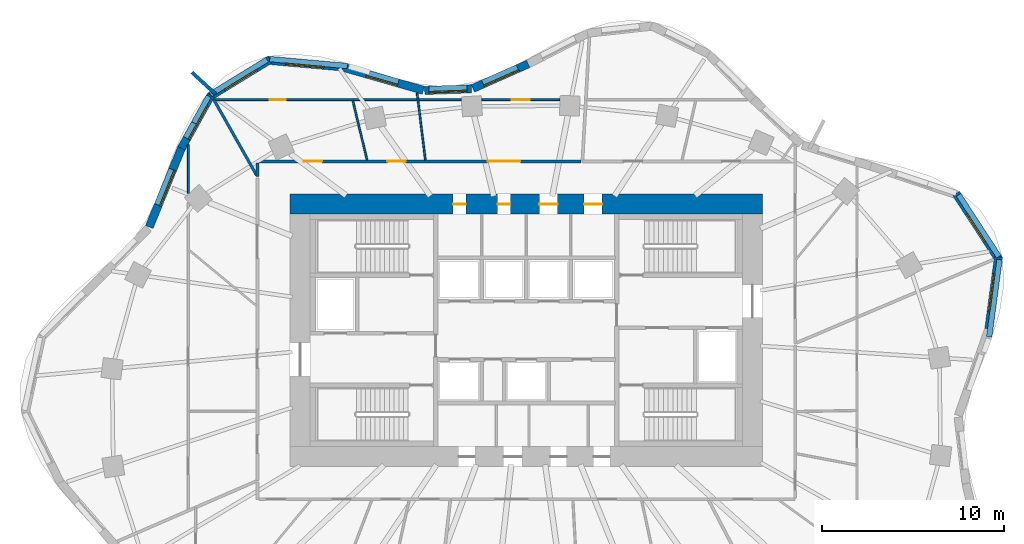
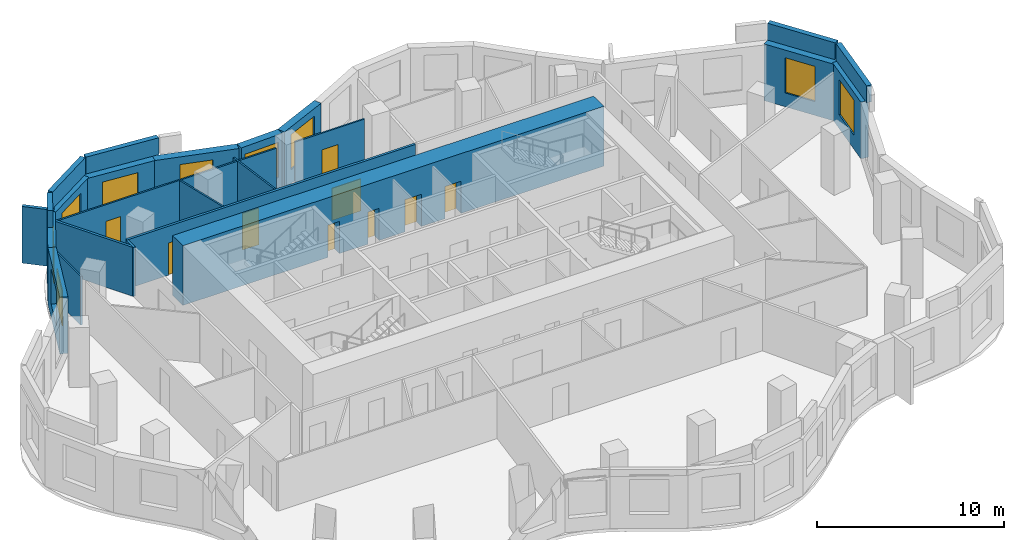
# One storey, part 7 of 9: 24 walls, 9 doors, 9 windows, 18 openings.
"""IFC4 building model written with IfcOpenShell, lengths in metres."""

from ifc_helpers import new_model, si_unit, direction, frame, frame_2d, origin, place, context, subcontext, project, spatial, rectangle, extrude, material, layer, layer_set, type_object, element, fill, save


model = new_model("IFC4")

# Units and contexts
model_context = context("Model", 3, precision=1e-05, world=origin(), true_north=direction((0.0, 1.0)))
body_context = subcontext(model_context, "Body", "Model", "MODEL_VIEW")
ifc_project = project(units=[si_unit("LENGTHUNIT", "METRE"), si_unit("AREAUNIT", "SQUARE_METRE"), si_unit("VOLUMEUNIT", "CUBIC_METRE"), si_unit("PLANEANGLEUNIT", "RADIAN"), si_unit("MASSUNIT", "GRAM", prefix="KILO")], contexts=[model_context])

# Site, building, storey
site_placement = place(None, origin())
site = spatial("IfcSite", under=ifc_project, at=site_placement, CompositionType="ELEMENT")
building_placement = place(site_placement, origin())
building = spatial("IfcBuilding", under=site, at=building_placement, Name="Rubra Terraces Tower", CompositionType="ELEMENT")
storey_placement = place(building_placement, frame((0.0, 0.0, 142.199951171875)))
storey = spatial("IfcBuildingStorey", under=building, at=storey_placement, Name="L34", CompositionType="ELEMENT", Elevation=142.199951171875)

# Wall, opening, window
ifc_material_1 = material(Name="Brick masonry red-brown", Category="masonry")
ifc_layer_1 = layer(ifc_material_1, 0.449951171875)
ifc_layer_set_1 = layer_set([ifc_layer_1], Name="Brick masonry red-brown")
wall_type_1 = type_object("IfcWallType", Name="Brick facade wall 450", PredefinedType="SOLIDWALL", material=ifc_layer_set_1)
wall_1_placement = place(storey_placement, frame((25.457275390625, 4.57470703125, 0.0), z_axis=(0.0, 0.0, 1.0), x_axis=(0.132475046402, 0.991186340746, 0.0)))
wall_1 = element("IfcWall", 1, at=wall_1_placement, inside=storey, type_object=wall_type_1, Name="Facade wall L34 bay 2", PredefinedType="SOLIDWALL", context=body_context, shape_type="SweptSolid", body=[
    extrude(rectangle(XDim=4.006591796875, YDim=0.449951171875, at=frame_2d((2.00341796875, 0.0))), origin(), (0.0, 0.0, 1.0), 3.699951171875),
])
opening_1_placement = place(wall_1_placement, frame((0.953125, 0.0, 0.89990234375)))
opening_1 = element("IfcOpeningElement", 2, at=opening_1_placement, cuts=wall_1, Name="Opening W1B", PredefinedType="OPENING", context=body_context, shape_type="SweptSolid", body=[
    extrude(rectangle(XDim=2.10009765625, YDim=2.300048828125, at=frame_2d((1.050048828125, 1.14990234375))), frame((0.0, 0.23486328125, 0.0), z_axis=(0.0, -1.0, 0.0), x_axis=(1.0, 0.0, 0.0)), (0.0, 0.0, 1.0), 0.469970703125),
])
ifc_material_2 = material(Name="Clear glass in aluminium frame", Category="aluminium")
window_type_1 = type_object("IfcWindowType", Name="Fixed deep-set window tall storey 2100 x 2300", PartitioningType="SINGLE_PANEL", PredefinedType="WINDOW", material=ifc_material_2)
window_1_placement = place(opening_1_placement, origin())
window_1 = element("IfcWindow", 3, at=window_1_placement, inside=storey, type_object=window_type_1, Name="Window L34 bay 2", OverallHeight=2.300048828125, OverallWidth=2.10009765625, PartitioningType="SINGLE_PANEL", PredefinedType="WINDOW", context=body_context, shape_type="SweptSolid", body=[
    extrude(rectangle(XDim=2.10009765625, YDim=2.300048828125, at=frame_2d((1.050048828125, 1.14990234375))), frame((0.0, 0.135009765625, 0.0), z_axis=(0.0, -1.0, 0.0), x_axis=(1.0, 0.0, 0.0)), (0.0, 0.0, 1.0), 0.06005859375),
])
fill(opening_1, window_1)

wall_2_placement = place(storey_placement, frame((26.0224609375, 8.393310546875, 0.0), z_axis=(0.0, 0.0, 1.0), x_axis=(-0.545637310328, 0.838021435035, 0.0)))
wall_2 = element("IfcWall", 4, at=wall_2_placement, inside=storey, type_object=wall_type_1, Name="Facade wall L34 bay 3", PredefinedType="SOLIDWALL", context=body_context, shape_type="SweptSolid", body=[
    extrude(rectangle(XDim=4.336181640625, YDim=0.449951171875, at=frame_2d((2.16796875, 0.0))), origin(), (0.0, 0.0, 1.0), 3.699951171875),
])
opening_2_placement = place(wall_2_placement, frame((1.268310546875, 0.0, 0.89990234375)))
opening_2 = element("IfcOpeningElement", 5, at=opening_2_placement, cuts=wall_2, Name="Opening W6B", PredefinedType="OPENING", context=body_context, shape_type="SweptSolid", body=[
    extrude(rectangle(XDim=1.800048828125, YDim=2.300048828125, at=frame_2d((0.89990234375, 1.14990234375))), frame((0.0, 0.23486328125, 0.0), z_axis=(0.0, -1.0, 0.0), x_axis=(1.0, 0.0, 0.0)), (0.0, 0.0, 1.0), 0.469970703125),
])
window_type_2 = type_object("IfcWindowType", Name="Fixed deep-set window at wind fin tall storey 1800 x 2300", PartitioningType="SINGLE_PANEL", PredefinedType="WINDOW", material=ifc_material_2)
window_2_placement = place(opening_2_placement, origin())
window_2 = element("IfcWindow", 6, at=window_2_placement, inside=storey, type_object=window_type_2, Name="Window L34 bay 3", OverallHeight=2.300048828125, OverallWidth=1.800048828125, PartitioningType="SINGLE_PANEL", PredefinedType="WINDOW", context=body_context, shape_type="SweptSolid", body=[
    extrude(rectangle(XDim=1.800048828125, YDim=2.300048828125, at=frame_2d((0.89990234375, 1.14990234375))), frame((0.0, 0.135009765625, 0.0), z_axis=(0.0, -1.0, 0.0), x_axis=(1.0, 0.0, 0.0)), (0.0, 0.0, 1.0), 0.06005859375),
])
fill(opening_2, window_2)

wall_3_placement = place(storey_placement, frame((0.105224609375, 19.1669921875, 0.0), z_axis=(0.0, 0.0, 1.0), x_axis=(-0.91414046241, -0.405397601109, 0.0)))
wall_3 = element("IfcWall", 7, at=wall_3_placement, inside=storey, type_object=wall_type_1, Name="Facade wall L34 bay 11", PredefinedType="SOLIDWALL", context=body_context, shape_type="SweptSolid", body=[
    extrude(rectangle(XDim=3.333251953125, YDim=0.449951171875, at=frame_2d((1.66650390625, 0.0))), origin(), (0.0, 0.0, 1.0), 3.699951171875),
])
opening_3_placement = place(wall_3_placement, frame((0.61669921875, 0.0, 0.89990234375)))
opening_3 = element("IfcOpeningElement", 8, at=opening_3_placement, cuts=wall_3, Name="Opening W1B", PredefinedType="OPENING", context=body_context, shape_type="SweptSolid", body=[
    extrude(rectangle(XDim=2.10009765625, YDim=2.300048828125, at=frame_2d((1.050048828125, 1.14990234375))), frame((0.0, 0.23486328125, 0.0), z_axis=(0.0, -1.0, 0.0), x_axis=(1.0, 0.0, 0.0)), (0.0, 0.0, 1.0), 0.469970703125),
])
window_3_placement = place(opening_3_placement, origin())
window_3 = element("IfcWindow", 9, at=window_3_placement, inside=storey, type_object=window_type_1, Name="Window L34 bay 11", OverallHeight=2.300048828125, OverallWidth=2.10009765625, PartitioningType="SINGLE_PANEL", PredefinedType="WINDOW", context=body_context, shape_type="SweptSolid", body=[
    extrude(rectangle(XDim=2.10009765625, YDim=2.300048828125, at=frame_2d((1.050048828125, 1.14990234375))), frame((0.0, 0.135009765625, 0.0), z_axis=(0.0, -1.0, 0.0), x_axis=(1.0, 0.0, 0.0)), (0.0, 0.0, 1.0), 0.06005859375),
])
fill(opening_3, window_3)

wall_4_placement = place(storey_placement, frame((-3.022216796875, 17.797607421875, 0.0), z_axis=(0.0, 0.0, 1.0), x_axis=(-0.999339560591, -0.036337895349, 0.0)))
wall_4 = element("IfcWall", 10, at=wall_4_placement, inside=storey, type_object=wall_type_1, Name="Facade wall L34 bay 12", PredefinedType="SOLIDWALL", context=body_context, shape_type="SweptSolid", body=[
    extrude(rectangle(XDim=2.5732421875, YDim=0.449951171875, at=frame_2d((1.28662109375, 0.0))), origin(), (0.0, 0.0, 1.0), 3.699951171875),
])
opening_4_placement = place(wall_4_placement, frame((0.236572265625, 0.0, 0.89990234375)))
opening_4 = element("IfcOpeningElement", 11, at=opening_4_placement, cuts=wall_4, Name="Opening W1B", PredefinedType="OPENING", context=body_context, shape_type="SweptSolid", body=[
    extrude(rectangle(XDim=2.10009765625, YDim=2.300048828125, at=frame_2d((1.050048828125, 1.14990234375))), frame((0.0, 0.23486328125, 0.0), z_axis=(0.0, -1.0, 0.0), x_axis=(1.0, 0.0, 0.0)), (0.0, 0.0, 1.0), 0.469970703125),
])
window_4_placement = place(opening_4_placement, origin())
window_4 = element("IfcWindow", 12, at=window_4_placement, inside=storey, type_object=window_type_1, Name="Window L34 bay 12", OverallHeight=2.300048828125, OverallWidth=2.10009765625, PartitioningType="SINGLE_PANEL", PredefinedType="WINDOW", context=body_context, shape_type="SweptSolid", body=[
    extrude(rectangle(XDim=2.10009765625, YDim=2.300048828125, at=frame_2d((1.050048828125, 1.14990234375))), frame((0.0, 0.135009765625, 0.0), z_axis=(0.0, -1.0, 0.0), x_axis=(1.0, 0.0, 0.0)), (0.0, 0.0, 1.0), 0.06005859375),
])
fill(opening_4, window_4)

wall_5_placement = place(storey_placement, frame((-5.6640625, 17.712646484375, 0.0), z_axis=(0.0, 0.0, 1.0), x_axis=(-0.961108031684, 0.276172684083, 0.0)))
wall_5 = element("IfcWall", 13, at=wall_5_placement, inside=storey, type_object=wall_type_1, Name="Facade wall L34 bay 13", PredefinedType="SOLIDWALL", context=body_context, shape_type="SweptSolid", body=[
    extrude(rectangle(XDim=4.686279296875, YDim=0.449951171875, at=frame_2d((2.34326171875, 0.0))), origin(), (0.0, 0.0, 1.0), 3.699951171875),
])
opening_5_placement = place(wall_5_placement, frame((1.443115234375, 0.0, 0.89990234375)))
opening_5 = element("IfcOpeningElement", 14, at=opening_5_placement, cuts=wall_5, Name="Opening W6B", PredefinedType="OPENING", context=body_context, shape_type="SweptSolid", body=[
    extrude(rectangle(XDim=1.800048828125, YDim=2.300048828125, at=frame_2d((0.89990234375, 1.14990234375))), frame((0.0, 0.23486328125, 0.0), z_axis=(0.0, -1.0, 0.0), x_axis=(1.0, 0.0, 0.0)), (0.0, 0.0, 1.0), 0.469970703125),
])
window_5_placement = place(opening_5_placement, origin())
window_5 = element("IfcWindow", 15, at=window_5_placement, inside=storey, type_object=window_type_2, Name="Window L34 bay 13", OverallHeight=2.300048828125, OverallWidth=1.800048828125, PartitioningType="SINGLE_PANEL", PredefinedType="WINDOW", context=body_context, shape_type="SweptSolid", body=[
    extrude(rectangle(XDim=1.800048828125, YDim=2.300048828125, at=frame_2d((0.89990234375, 1.14990234375))), frame((0.0, 0.135009765625, 0.0), z_axis=(0.0, -1.0, 0.0), x_axis=(1.0, 0.0, 0.0)), (0.0, 0.0, 1.0), 0.06005859375),
])
fill(opening_5, window_5)

wall_6_placement = place(storey_placement, frame((-10.125732421875, 18.9990234375, 0.0), z_axis=(0.0, 0.0, 1.0), x_axis=(-0.996031087117, 0.089006030672, 0.0)))
wall_6 = element("IfcWall", 16, at=wall_6_placement, inside=storey, type_object=wall_type_1, Name="Facade wall L34 bay 14", PredefinedType="SOLIDWALL", context=body_context, shape_type="SweptSolid", body=[
    extrude(rectangle(XDim=4.14453125, YDim=0.449951171875, at=frame_2d((2.072265625, 0.0))), origin(), (0.0, 0.0, 1.0), 3.699951171875),
])
opening_6_placement = place(wall_6_placement, frame((1.022216796875, 0.0, 0.89990234375)))
opening_6 = element("IfcOpeningElement", 17, at=opening_6_placement, cuts=wall_6, Name="Opening W1B", PredefinedType="OPENING", context=body_context, shape_type="SweptSolid", body=[
    extrude(rectangle(XDim=2.10009765625, YDim=2.300048828125, at=frame_2d((1.050048828125, 1.14990234375))), frame((0.0, 0.23486328125, 0.0), z_axis=(0.0, -1.0, 0.0), x_axis=(1.0, 0.0, 0.0)), (0.0, 0.0, 1.0), 0.469970703125),
])
window_6_placement = place(opening_6_placement, origin())
window_6 = element("IfcWindow", 18, at=window_6_placement, inside=storey, type_object=window_type_1, Name="Window L34 bay 14", OverallHeight=2.300048828125, OverallWidth=2.10009765625, PartitioningType="SINGLE_PANEL", PredefinedType="WINDOW", context=body_context, shape_type="SweptSolid", body=[
    extrude(rectangle(XDim=2.10009765625, YDim=2.300048828125, at=frame_2d((1.050048828125, 1.14990234375))), frame((0.0, 0.135009765625, 0.0), z_axis=(0.0, -1.0, 0.0), x_axis=(1.0, 0.0, 0.0)), (0.0, 0.0, 1.0), 0.06005859375),
])
fill(opening_6, window_6)

wall_7_placement = place(storey_placement, frame((-14.116455078125, 19.400146484375, 0.0), z_axis=(0.0, 0.0, 1.0), x_axis=(-0.852622865325, -0.522526793117, 0.0)))
wall_7 = element("IfcWall", 19, at=wall_7_placement, inside=storey, type_object=wall_type_1, Name="Facade wall L34 bay 15", PredefinedType="SOLIDWALL", context=body_context, shape_type="SweptSolid", body=[
    extrude(rectangle(XDim=3.896240234375, YDim=0.449951171875, at=frame_2d((1.9482421875, 0.0))), origin(), (0.0, 0.0, 1.0), 3.699951171875),
])
opening_7_placement = place(wall_7_placement, frame((0.898193359375, 0.0, 0.89990234375)))
opening_7 = element("IfcOpeningElement", 20, at=opening_7_placement, cuts=wall_7, Name="Opening W1B", PredefinedType="OPENING", context=body_context, shape_type="SweptSolid", body=[
    extrude(rectangle(XDim=2.10009765625, YDim=2.300048828125, at=frame_2d((1.050048828125, 1.14990234375))), frame((0.0, 0.23486328125, 0.0), z_axis=(0.0, -1.0, 0.0), x_axis=(1.0, 0.0, 0.0)), (0.0, 0.0, 1.0), 0.469970703125),
])
window_7_placement = place(opening_7_placement, origin())
window_7 = element("IfcWindow", 21, at=window_7_placement, inside=storey, type_object=window_type_1, Name="Window L34 bay 15", OverallHeight=2.300048828125, OverallWidth=2.10009765625, PartitioningType="SINGLE_PANEL", PredefinedType="WINDOW", context=body_context, shape_type="SweptSolid", body=[
    extrude(rectangle(XDim=2.10009765625, YDim=2.300048828125, at=frame_2d((1.050048828125, 1.14990234375))), frame((0.0, 0.135009765625, 0.0), z_axis=(0.0, -1.0, 0.0), x_axis=(1.0, 0.0, 0.0)), (0.0, 0.0, 1.0), 0.06005859375),
])
fill(opening_7, window_7)

wall_8_placement = place(storey_placement, frame((-17.359375, 17.44677734375, 0.0), z_axis=(0.0, 0.0, 1.0), x_axis=(-0.485618126214, -0.874171056197, 0.0)))
wall_8 = element("IfcWall", 22, at=wall_8_placement, inside=storey, type_object=wall_type_1, Name="Facade wall L34 bay 16", PredefinedType="SOLIDWALL", context=body_context, shape_type="SweptSolid", body=[
    extrude(rectangle(XDim=3.3427734375, YDim=0.449951171875, at=frame_2d((1.67138671875, 0.0))), origin(), (0.0, 0.0, 1.0), 3.699951171875),
])
opening_8_placement = place(wall_8_placement, frame((0.621337890625, 0.0, 0.89990234375)))
opening_8 = element("IfcOpeningElement", 23, at=opening_8_placement, cuts=wall_8, Name="Opening W1B", PredefinedType="OPENING", context=body_context, shape_type="SweptSolid", body=[
    extrude(rectangle(XDim=2.10009765625, YDim=2.300048828125, at=frame_2d((1.050048828125, 1.14990234375))), frame((0.0, 0.23486328125, 0.0), z_axis=(0.0, -1.0, 0.0), x_axis=(1.0, 0.0, 0.0)), (0.0, 0.0, 1.0), 0.469970703125),
])
window_8_placement = place(opening_8_placement, origin())
window_8 = element("IfcWindow", 24, at=window_8_placement, inside=storey, type_object=window_type_1, Name="Window L34 bay 16", OverallHeight=2.300048828125, OverallWidth=2.10009765625, PartitioningType="SINGLE_PANEL", PredefinedType="WINDOW", context=body_context, shape_type="SweptSolid", body=[
    extrude(rectangle(XDim=2.10009765625, YDim=2.300048828125, at=frame_2d((1.050048828125, 1.14990234375))), frame((0.0, 0.135009765625, 0.0), z_axis=(0.0, -1.0, 0.0), x_axis=(1.0, 0.0, 0.0)), (0.0, 0.0, 1.0), 0.06005859375),
])
fill(opening_8, window_8)

wall_9_placement = place(storey_placement, frame((-18.97119140625, 14.548828125, 0.0), z_axis=(0.0, 0.0, 1.0), x_axis=(-0.378434936431, -0.925627894398, 0.0)))
wall_9 = element("IfcWall", 25, at=wall_9_placement, inside=storey, type_object=wall_type_1, Name="Facade wall L34 bay 17", PredefinedType="SOLIDWALL", context=body_context, shape_type="SweptSolid", body=[
    extrude(rectangle(XDim=4.70751953125, YDim=0.449951171875, at=frame_2d((2.353759765625, 0.0))), origin(), (0.0, 0.0, 1.0), 3.699951171875),
])
opening_9_placement = place(wall_9_placement, frame((1.3037109375, 0.0, 0.89990234375)))
opening_9 = element("IfcOpeningElement", 26, at=opening_9_placement, cuts=wall_9, Name="Opening W1B", PredefinedType="OPENING", context=body_context, shape_type="SweptSolid", body=[
    extrude(rectangle(XDim=2.10009765625, YDim=2.300048828125, at=frame_2d((1.050048828125, 1.14990234375))), frame((0.0, 0.23486328125, 0.0), z_axis=(0.0, -1.0, 0.0), x_axis=(1.0, 0.0, 0.0)), (0.0, 0.0, 1.0), 0.469970703125),
])
window_9_placement = place(opening_9_placement, origin())
window_9 = element("IfcWindow", 27, at=window_9_placement, inside=storey, type_object=window_type_1, Name="Window L34 bay 17", OverallHeight=2.300048828125, OverallWidth=2.10009765625, PartitioningType="SINGLE_PANEL", PredefinedType="WINDOW", context=body_context, shape_type="SweptSolid", body=[
    extrude(rectangle(XDim=2.10009765625, YDim=2.300048828125, at=frame_2d((1.050048828125, 1.14990234375))), frame((0.0, 0.135009765625, 0.0), z_axis=(0.0, -1.0, 0.0), x_axis=(1.0, 0.0, 0.0)), (0.0, 0.0, 1.0), 0.06005859375),
])
fill(opening_9, window_9)

# Walls
ifc_layer_2 = layer(ifc_material_1, 0.300048828125)
ifc_layer_set_2 = layer_set([ifc_layer_2], Name="Brick masonry red-brown")
wall_type_2 = type_object("IfcWallType", Name="Brick parapet 300", PredefinedType="PARAPET", material=ifc_layer_set_2)
wall_10_placement = place(storey_placement, frame((25.474365234375, 4.13720703125, 3.900146484375), z_axis=(0.0, 0.0, 1.0), x_axis=(0.132506125812, 0.991182186393, 0.0)))
element("IfcWall", 28, at=wall_10_placement, inside=storey, type_object=wall_type_2, Name="Parapet L34 bay 2", PredefinedType="PARAPET", context=body_context, shape_type="SweptSolid", body=[
    extrude(rectangle(XDim=4.296630859375, YDim=0.300048828125, at=frame_2d((2.1484375, 0.0))), origin(), (0.0, 0.0, 1.0), 1.099853515625),
])
wall_11_placement = place(storey_placement, frame((26.00830078125, 8.552490234375, 3.900146484375), z_axis=(0.0, 0.0, 1.0), x_axis=(-0.545634876254, 0.83802301986, 0.0)))
element("IfcWall", 29, at=wall_11_placement, inside=storey, type_object=wall_type_2, Name="Parapet L34 bay 3", PredefinedType="PARAPET", context=body_context, shape_type="SweptSolid", body=[
    extrude(rectangle(XDim=4.060546875, YDim=0.300048828125, at=frame_2d((2.0302734375, 0.0))), origin(), (0.0, 0.0, 1.0), 1.099853515625),
])
wall_12_placement = place(storey_placement, frame((-9.851806640625, 19.0498046875, 3.900146484375), z_axis=(0.0, 0.0, 1.0), x_axis=(-0.996029858658, 0.089019776805, 0.0)))
element("IfcWall", 30, at=wall_12_placement, inside=storey, type_object=wall_type_2, Name="Parapet L34 bay 14", PredefinedType="PARAPET", context=body_context, shape_type="SweptSolid", body=[
    extrude(rectangle(XDim=4.283935546875, YDim=0.300048828125, at=frame_2d((2.14208984375, 0.0))), origin(), (0.0, 0.0, 1.0), 1.099853515625),
])
wall_13_placement = place(storey_placement, frame((-14.265869140625, 19.396484375, 3.900146484375), z_axis=(0.0, 0.0, 1.0), x_axis=(-0.852626191256, -0.522521366055, 0.0)))
element("IfcWall", 31, at=wall_13_placement, inside=storey, type_object=wall_type_2, Name="Parapet L34 bay 15", PredefinedType="PARAPET", context=body_context, shape_type="SweptSolid", body=[
    extrude(rectangle(XDim=3.657958984375, YDim=0.300048828125, at=frame_2d((1.8291015625, 0.0))), origin(), (0.0, 0.0, 1.0), 1.099853515625),
])
wall_14_placement = place(storey_placement, frame((-17.477783203125, 17.387939453125, 3.900146484375), z_axis=(0.0, 0.0, 1.0), x_axis=(-0.485655243725, -0.874150435705, 0.0)))
element("IfcWall", 32, at=wall_14_placement, inside=storey, type_object=wall_type_2, Name="Parapet L34 bay 16", PredefinedType="PARAPET", context=body_context, shape_type="SweptSolid", body=[
    extrude(rectangle(XDim=1.68359375, YDim=0.300048828125, at=frame_2d((0.841796875, 0.0))), origin(), (0.0, 0.0, 1.0), 1.099853515625),
])
ifc_layer_3 = layer(ifc_material_1, 0.199951171875)
ifc_layer_set_3 = layer_set([ifc_layer_3], Name="Brick masonry red-brown")
wall_type_3 = type_object("IfcWallType", Name="Brick wind fin 200", PredefinedType="SOLIDWALL", material=ifc_layer_set_3)
wall_15_placement = place(storey_placement, frame((-17.118896484375, 17.52294921875, 0.0), z_axis=(0.0, 0.0, 1.0), x_axis=(-0.737866019047, 0.674947211221, 0.0)))
element("IfcWall", 33, at=wall_15_placement, inside=storey, type_object=wall_type_3, Name="Wind fin L34 8", PredefinedType="SOLIDWALL", context=body_context, shape_type="SweptSolid", body=[
    extrude(rectangle(XDim=1.75, YDim=0.199951171875, at=frame_2d((0.875, 0.0))), origin(), (0.0, 0.0, 1.0), 3.699951171875),
])

# Wall, openings, doors
ifc_material_3 = material(Name="Concrete C60", Category="concrete")
ifc_layer_4 = layer(ifc_material_3, 1.10009765625)
ifc_layer_set_4 = layer_set([ifc_layer_4], Name="Concrete C60")
wall_type_4 = type_object("IfcWallType", Name="CORE WALL 1100 C60", PredefinedType="SHEAR", material=ifc_layer_set_4)
wall_16_placement = place(storey_placement, frame((-13.0, 11.449951171875, 0.0), z_axis=(0.0, 0.0, 1.0), x_axis=(1.0, 0.0, 0.0)))
wall_16 = element("IfcWall", 34, at=wall_16_placement, inside=storey, type_object=wall_type_4, Name="CORE WALL N L34", PredefinedType="SHEAR", context=body_context, shape_type="SweptSolid", body=[
    extrude(rectangle(XDim=26.0, YDim=1.10009765625, at=frame_2d((13.0, 0.0))), origin(), (0.0, 0.0, 1.0), 3.900146484375),
])
opening_10_placement = place(wall_16_placement, frame((8.97509765625, 0.0, 0.0)))
opening_10 = element("IfcOpeningElement", 35, at=opening_10_placement, cuts=wall_16, Name="Opening L34.C25", PredefinedType="OPENING", context=body_context, shape_type="SweptSolid", body=[
    extrude(rectangle(XDim=0.699951171875, YDim=2.10009765625, at=frame_2d((0.35009765625, 1.050048828125))), frame((0.0, 0.56005859375, 0.0), z_axis=(0.0, -1.0, 0.0), x_axis=(1.0, 0.0, 0.0)), (0.0, 0.0, 1.0), 1.1201171875),
])
opening_11_placement = place(wall_16_placement, frame((11.425048828125, 0.0, 0.0)))
opening_11 = element("IfcOpeningElement", 36, at=opening_11_placement, cuts=wall_16, Name="Opening L34.C26", PredefinedType="OPENING", context=body_context, shape_type="SweptSolid", body=[
    extrude(rectangle(XDim=0.699951171875, YDim=2.10009765625, at=frame_2d((0.35009765625, 1.050048828125))), frame((0.0, 0.56005859375, 0.0), z_axis=(0.0, -1.0, 0.0), x_axis=(1.0, 0.0, 0.0)), (0.0, 0.0, 1.0), 1.1201171875),
])
opening_12_placement = place(wall_16_placement, frame((13.72509765625, 0.0, 0.0)))
opening_12 = element("IfcOpeningElement", 37, at=opening_12_placement, cuts=wall_16, Name="Opening L34.C27", PredefinedType="OPENING", context=body_context, shape_type="SweptSolid", body=[
    extrude(rectangle(XDim=1.0, YDim=2.10009765625, at=frame_2d((0.5, 1.050048828125))), frame((0.0, 0.56005859375, 0.0), z_axis=(0.0, -1.0, 0.0), x_axis=(1.0, 0.0, 0.0)), (0.0, 0.0, 1.0), 1.1201171875),
])
opening_13_placement = place(wall_16_placement, frame((16.175048828125, 0.0, 0.0)))
opening_13 = element("IfcOpeningElement", 38, at=opening_13_placement, cuts=wall_16, Name="Opening L34.C28", PredefinedType="OPENING", context=body_context, shape_type="SweptSolid", body=[
    extrude(rectangle(XDim=1.0, YDim=2.10009765625, at=frame_2d((0.5, 1.050048828125))), frame((0.0, 0.56005859375, 0.0), z_axis=(0.0, -1.0, 0.0), x_axis=(1.0, 0.0, 0.0)), (0.0, 0.0, 1.0), 1.1201171875),
])
ifc_material_4 = material(Name="Painted steel", Category="steel")
door_type_1 = type_object("IfcDoorType", Name="Fire door 1000x2100 single", OperationType="NOTDEFINED", PredefinedType="DOOR", material=ifc_material_4)
door_1_placement = place(opening_12_placement, origin())
door_1 = element("IfcDoor", 39, at=door_1_placement, inside=storey, type_object=door_type_1, Name="Tea point door", OperationType="SINGLE_SWING_LEFT", OverallHeight=2.10009765625, OverallWidth=1.0, PredefinedType="DOOR", context=body_context, shape_type="SweptSolid", body=[
    extrude(rectangle(XDim=1.0, YDim=2.10009765625, at=frame_2d((0.5, 1.050048828125))), frame((0.0, 0.02490234375, 0.0), z_axis=(0.0, -1.0, 0.0), x_axis=(1.0, 0.0, 0.0)), (0.0, 0.0, 1.0), 0.050048828125),
])
fill(opening_12, door_1)
door_2_placement = place(opening_13_placement, origin())
door_2 = element("IfcDoor", 40, at=door_2_placement, inside=storey, type_object=door_type_1, Name="General store door", OperationType="SINGLE_SWING_RIGHT", OverallHeight=2.10009765625, OverallWidth=1.0, PredefinedType="DOOR", context=body_context, shape_type="SweptSolid", body=[
    extrude(rectangle(XDim=1.0, YDim=2.10009765625, at=frame_2d((0.5, 1.050048828125))), frame((0.0, 0.02490234375, 0.0), z_axis=(0.0, -1.0, 0.0), x_axis=(1.0, 0.0, 0.0)), (0.0, 0.0, 1.0), 0.050048828125),
])
fill(opening_13, door_2)
door_type_2 = type_object("IfcDoorType", Name="Riser access door 700x2100 single", OperationType="NOTDEFINED", PredefinedType="DOOR", material=ifc_material_4)
door_3_placement = place(opening_10_placement, origin())
door_3 = element("IfcDoor", 41, at=door_3_placement, inside=storey, type_object=door_type_2, Name="Electrical riser room door", OperationType="SINGLE_SWING_LEFT", OverallHeight=2.10009765625, OverallWidth=0.699951171875, PredefinedType="DOOR", context=body_context, shape_type="SweptSolid", body=[
    extrude(rectangle(XDim=0.699951171875, YDim=2.10009765625, at=frame_2d((0.35009765625, 1.050048828125))), frame((0.0, 0.02490234375, 0.0), z_axis=(0.0, -1.0, 0.0), x_axis=(1.0, 0.0, 0.0)), (0.0, 0.0, 1.0), 0.050048828125),
])
fill(opening_10, door_3)
door_4_placement = place(opening_11_placement, origin())
door_4 = element("IfcDoor", 42, at=door_4_placement, inside=storey, type_object=door_type_2, Name="Telecoms room door", OperationType="SINGLE_SWING_RIGHT", OverallHeight=2.10009765625, OverallWidth=0.699951171875, PredefinedType="DOOR", context=body_context, shape_type="SweptSolid", body=[
    extrude(rectangle(XDim=0.699951171875, YDim=2.10009765625, at=frame_2d((0.35009765625, 1.050048828125))), frame((0.0, 0.02490234375, 0.0), z_axis=(0.0, -1.0, 0.0), x_axis=(1.0, 0.0, 0.0)), (0.0, 0.0, 1.0), 0.050048828125),
])
fill(opening_11, door_4)

ifc_material_5 = material(Name="Plasterboard on steel stud, mineral wool infill", Category="steel")
ifc_layer_5 = layer(ifc_material_5, 0.14990234375)
ifc_layer_set_5 = layer_set([ifc_layer_5], Name="Plasterboard on steel stud, mineral wool infill")
wall_type_5 = type_object("IfcWallType", Name="CORRIDOR PARTITION 150", PredefinedType="PARTITIONING", material=ifc_layer_set_5)
wall_17_placement = place(storey_placement, frame((3.01171875, 13.800048828125, 0.0), z_axis=(0.0, 0.0, 1.0), x_axis=(-1.0, 0.0, 0.0)))
wall_17 = element("IfcWall", 43, at=wall_17_placement, inside=storey, type_object=wall_type_5, Name="PARTITION", PredefinedType="PARTITIONING", context=body_context, shape_type="SweptSolid", body=[
    extrude(rectangle(XDim=17.811767578125, YDim=0.14990234375, at=frame_2d((8.90576171875, 0.0))), origin(), (0.0, 0.0, 1.0), 3.197998046875),
])
opening_14_placement = place(wall_17_placement, frame((3.342041015625, 0.0, 0.0)))
opening_14 = element("IfcOpeningElement", 44, at=opening_14_placement, cuts=wall_17, Name="Opening 34-104", PredefinedType="OPENING", context=body_context, shape_type="SweptSolid", body=[
    extrude(rectangle(XDim=1.800048828125, YDim=2.10009765625, at=frame_2d((0.89990234375, 1.050048828125))), frame((0.0, 0.0849609375, 0.0), z_axis=(0.0, -1.0, 0.0), x_axis=(1.0, 0.0, 0.0)), (0.0, 0.0, 1.0), 0.169921875),
])
opening_15_placement = place(wall_17_placement, frame((9.658935546875, 0.0, 0.0)))
opening_15 = element("IfcOpeningElement", 45, at=opening_15_placement, cuts=wall_17, Name="Opening 34-105", PredefinedType="OPENING", context=body_context, shape_type="SweptSolid", body=[
    extrude(rectangle(XDim=1.0, YDim=2.39990234375, at=frame_2d((0.5, 1.199951171875))), frame((0.0, 0.0849609375, 0.0), z_axis=(0.0, -1.0, 0.0), x_axis=(1.0, 0.0, 0.0)), (0.0, 0.0, 1.0), 0.169921875),
])
opening_16_placement = place(wall_17_placement, frame((14.25, 0.0, 0.0)))
opening_16 = element("IfcOpeningElement", 46, at=opening_16_placement, cuts=wall_17, Name="Opening 34-127", PredefinedType="OPENING", context=body_context, shape_type="SweptSolid", body=[
    extrude(rectangle(XDim=1.0, YDim=2.10009765625, at=frame_2d((0.5, 1.050048828125))), frame((0.0, 0.0849609375, 0.0), z_axis=(0.0, -1.0, 0.0), x_axis=(1.0, 0.0, 0.0)), (0.0, 0.0, 1.0), 0.169921875),
])
ifc_material_6 = material(Name="Glazed aluminium meeting door leaf", Category="aluminium")
door_type_3 = type_object("IfcDoorType", Name="MEETING ROOM GLAZED DOOR 1000 X 2400", OperationType="SINGLE_SWING_LEFT", PredefinedType="DOOR", material=ifc_material_6)
door_5_placement = place(opening_15_placement, origin())
door_5 = element("IfcDoor", 47, at=door_5_placement, inside=storey, type_object=door_type_3, Name="DOOR 34-105", OperationType="SINGLE_SWING_RIGHT", OverallHeight=2.39990234375, OverallWidth=1.0, PredefinedType="DOOR", context=body_context, shape_type="SweptSolid", body=[
    extrude(rectangle(XDim=1.0, YDim=2.39990234375, at=frame_2d((0.5, 1.199951171875))), frame((0.0, 0.02490234375, 0.0), z_axis=(0.0, -1.0, 0.0), x_axis=(1.0, 0.0, 0.0)), (0.0, 0.0, 1.0), 0.050048828125),
])
fill(opening_15, door_5)
ifc_material_7 = material(Name="Painted timber door leaf", Category="wood")
door_type_4 = type_object("IfcDoorType", Name="ROOM DOOR 1000 X 2100", OperationType="SINGLE_SWING_LEFT", PredefinedType="DOOR", material=ifc_material_7)
door_6_placement = place(opening_16_placement, origin())
door_6 = element("IfcDoor", 48, at=door_6_placement, inside=storey, type_object=door_type_4, Name="DOOR 34-127", OperationType="SINGLE_SWING_RIGHT", OverallHeight=2.10009765625, OverallWidth=1.0, PredefinedType="DOOR", context=body_context, shape_type="SweptSolid", body=[
    extrude(rectangle(XDim=1.0, YDim=2.10009765625, at=frame_2d((0.5, 1.050048828125))), frame((0.0, 0.02490234375, 0.0), z_axis=(0.0, -1.0, 0.0), x_axis=(1.0, 0.0, 0.0)), (0.0, 0.0, 1.0), 0.050048828125),
])
fill(opening_16, door_6)
ifc_material_8 = material(Name="Painted timber door leaf, double", Category="wood")
door_type_5 = type_object("IfcDoorType", Name="ROOM DOUBLE DOOR 1800 X 2100", OperationType="DOUBLE_DOOR_SINGLE_SWING", PredefinedType="DOOR", material=ifc_material_8)
door_7_placement = place(opening_14_placement, origin())
door_7 = element("IfcDoor", 49, at=door_7_placement, inside=storey, type_object=door_type_5, Name="DOOR 34-104", OperationType="DOUBLE_DOOR_SINGLE_SWING", OverallHeight=2.10009765625, OverallWidth=1.800048828125, PredefinedType="DOOR", context=body_context, shape_type="SweptSolid", body=[
    extrude(rectangle(XDim=1.800048828125, YDim=2.10009765625, at=frame_2d((0.89990234375, 1.050048828125))), frame((0.0, 0.02490234375, 0.0), z_axis=(0.0, -1.0, 0.0), x_axis=(1.0, 0.0, 0.0)), (0.0, 0.0, 1.0), 0.050048828125),
])
fill(opening_14, door_7)

# Wall
wall_18_placement = place(storey_placement, frame((-14.800048828125, 13.72509765625, 0.0), z_axis=(0.0, 0.0, 1.0), x_axis=(0.0, -1.0, 0.0)))
element("IfcWall", 50, at=wall_18_placement, inside=storey, type_object=wall_type_5, Name="PARTITION", PredefinedType="PARTITIONING", context=body_context, shape_type="SweptSolid", body=[
    extrude(rectangle(XDim=0.7685546875, YDim=0.14990234375, at=frame_2d((0.38427734375, 0.0))), origin(), (0.0, 0.0, 1.0), 3.197998046875),
])

# Wall, opening, door
ifc_material_9 = material(Name="Plasterboard on steel stud", Category="steel")
ifc_layer_6 = layer(ifc_material_9, 0.10009765625)
ifc_layer_set_6 = layer_set([ifc_layer_6], Name="Plasterboard on steel stud")
wall_type_6 = type_object("IfcWallType", Name="ROOM PARTITION 100", PredefinedType="PARTITIONING", material=ifc_layer_set_6)
wall_19_placement = place(storey_placement, frame((-17.177734375, 17.199951171875, 0.0), z_axis=(0.0, 0.0, 1.0), x_axis=(1.0, 0.0, 0.0)))
wall_19 = element("IfcWall", 51, at=wall_19_placement, inside=storey, type_object=wall_type_6, Name="PARTITION", PredefinedType="PARTITIONING", context=body_context, shape_type="SweptSolid", body=[
    extrude(rectangle(XDim=13.5849609375, YDim=0.10009765625, at=frame_2d((6.79248046875, 0.0))), origin(), (0.0, 0.0, 1.0), 3.18408203125),
])
opening_17_placement = place(wall_19_placement, frame((3.04296875, 0.0, 0.0)))
opening_17 = element("IfcOpeningElement", 52, at=opening_17_placement, cuts=wall_19, Name="Opening 34-106", PredefinedType="OPENING", context=body_context, shape_type="SweptSolid", body=[
    extrude(rectangle(XDim=0.89990234375, YDim=2.10009765625, at=frame_2d((0.449951171875, 1.050048828125))), frame((0.0, 0.06005859375, 0.0), z_axis=(0.0, -1.0, 0.0), x_axis=(1.0, 0.0, 0.0)), (0.0, 0.0, 1.0), 0.1201171875),
])
door_type_6 = type_object("IfcDoorType", Name="ROOM DOOR 900 X 2100", OperationType="SINGLE_SWING_LEFT", PredefinedType="DOOR", material=ifc_material_7)
door_8_placement = place(opening_17_placement, origin())
door_8 = element("IfcDoor", 53, at=door_8_placement, inside=storey, type_object=door_type_6, Name="DOOR 34-106", OperationType="SINGLE_SWING_LEFT", OverallHeight=2.10009765625, OverallWidth=0.89990234375, PredefinedType="DOOR", context=body_context, shape_type="SweptSolid", body=[
    extrude(rectangle(XDim=0.89990234375, YDim=2.10009765625, at=frame_2d((0.449951171875, 1.050048828125))), frame((0.0, 0.02490234375, 0.0), z_axis=(0.0, -1.0, 0.0), x_axis=(1.0, 0.0, 0.0)), (0.0, 0.0, 1.0), 0.050048828125),
])
fill(opening_17, door_8)

wall_20_placement = place(storey_placement, frame((-2.45068359375, 17.199951171875, 0.0), z_axis=(0.0, 0.0, 1.0), x_axis=(1.0, 0.0, 0.0)))
wall_20 = element("IfcWall", 54, at=wall_20_placement, inside=storey, type_object=wall_type_6, Name="PARTITION", PredefinedType="PARTITIONING", context=body_context, shape_type="SweptSolid", body=[
    extrude(rectangle(XDim=4.28857421875, YDim=0.10009765625, at=frame_2d((2.144287109375, 0.0))), origin(), (0.0, 0.0, 1.0), 3.18408203125),
])
opening_18_placement = place(wall_20_placement, frame((1.64990234375, 0.0, 0.0)))
opening_18 = element("IfcOpeningElement", 55, at=opening_18_placement, cuts=wall_20, Name="Opening 34-126", PredefinedType="OPENING", context=body_context, shape_type="SweptSolid", body=[
    extrude(rectangle(XDim=1.0, YDim=2.10009765625, at=frame_2d((0.5, 1.050048828125))), frame((0.0, 0.06005859375, 0.0), z_axis=(0.0, -1.0, 0.0), x_axis=(1.0, 0.0, 0.0)), (0.0, 0.0, 1.0), 0.1201171875),
])
door_9_placement = place(opening_18_placement, origin())
door_9 = element("IfcDoor", 56, at=door_9_placement, inside=storey, type_object=door_type_4, Name="DOOR 34-126", OperationType="SINGLE_SWING_LEFT", OverallHeight=2.10009765625, OverallWidth=1.0, PredefinedType="DOOR", context=body_context, shape_type="SweptSolid", body=[
    extrude(rectangle(XDim=1.0, YDim=2.10009765625, at=frame_2d((0.5, 1.050048828125))), frame((0.0, 0.02490234375, 0.0), z_axis=(0.0, -1.0, 0.0), x_axis=(1.0, 0.0, 0.0)), (0.0, 0.0, 1.0), 0.050048828125),
])
fill(opening_18, door_9)

# Walls
wall_21_placement = place(storey_placement, frame((-5.555908203125, 13.87451171875, 0.0), z_axis=(0.0, 0.0, 1.0), x_axis=(-0.122573624649, 0.99245942312, 0.0)))
element("IfcWall", 57, at=wall_21_placement, inside=storey, type_object=wall_type_6, Name="PARTITION", PredefinedType="PARTITIONING", context=body_context, shape_type="SweptSolid", body=[
    extrude(rectangle(XDim=3.72265625, YDim=0.10009765625, at=frame_2d((1.861328125, 0.0))), origin(), (0.0, 0.0, 1.0), 3.18408203125),
])
wall_22_placement = place(storey_placement, frame((-8.765380859375, 13.872802734375, 0.0), z_axis=(0.0, 0.0, 1.0), x_axis=(-0.232827854215, 0.972517963999, 0.0)))
element("IfcWall", 58, at=wall_22_placement, inside=storey, type_object=wall_type_6, Name="PARTITION", PredefinedType="PARTITIONING", context=body_context, shape_type="SweptSolid", body=[
    extrude(rectangle(XDim=3.37109375, YDim=0.10009765625, at=frame_2d((1.685546875, 0.0))), origin(), (0.0, 0.0, 1.0), 3.18408203125),
])
wall_23_placement = place(storey_placement, frame((-18.60009765625, 12.036865234375, 0.0), z_axis=(0.0, 0.0, 1.0), x_axis=(0.0, 1.0, 0.0)))
element("IfcWall", 59, at=wall_23_placement, inside=storey, type_object=wall_type_6, Name="PARTITION", PredefinedType="PARTITIONING", context=body_context, shape_type="SweptSolid", body=[
    extrude(rectangle(XDim=2.672119140625, YDim=0.10009765625, at=frame_2d((1.3359375, 0.0))), origin(), (0.0, 0.0, 1.0), 3.18408203125),
])
ifc_layer_7 = layer(ifc_material_9, 0.14990234375)
ifc_layer_set_7 = layer_set([ifc_layer_7], Name="Plasterboard on steel stud")
wall_type_7 = type_object("IfcWallType", Name="ROOM PARTITION 150", PredefinedType="PARTITIONING", material=ifc_layer_set_7)
wall_24_placement = place(storey_placement, frame((-17.2177734375, 17.22998046875, 0.0), z_axis=(0.0, 0.0, 1.0), x_axis=(0.492436580725, -0.870348329098, 0.0)))
element("IfcWall", 60, at=wall_24_placement, inside=storey, type_object=wall_type_7, Name="PARTITION", PredefinedType="PARTITIONING", context=body_context, shape_type="SweptSolid", body=[
    extrude(rectangle(XDim=4.8349609375, YDim=0.14990234375, at=frame_2d((2.41748046875, 0.0))), origin(), (0.0, 0.0, 1.0), 3.197998046875),
])

save(model, "model.ifc")
